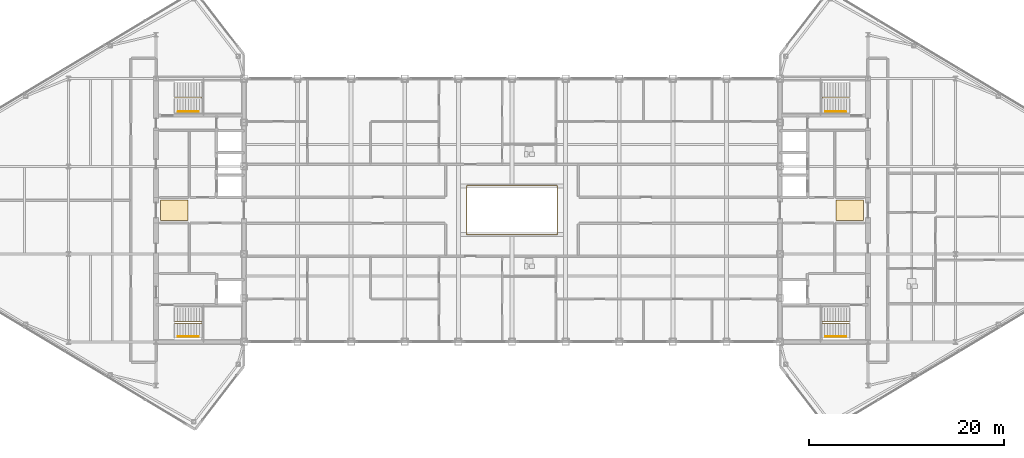
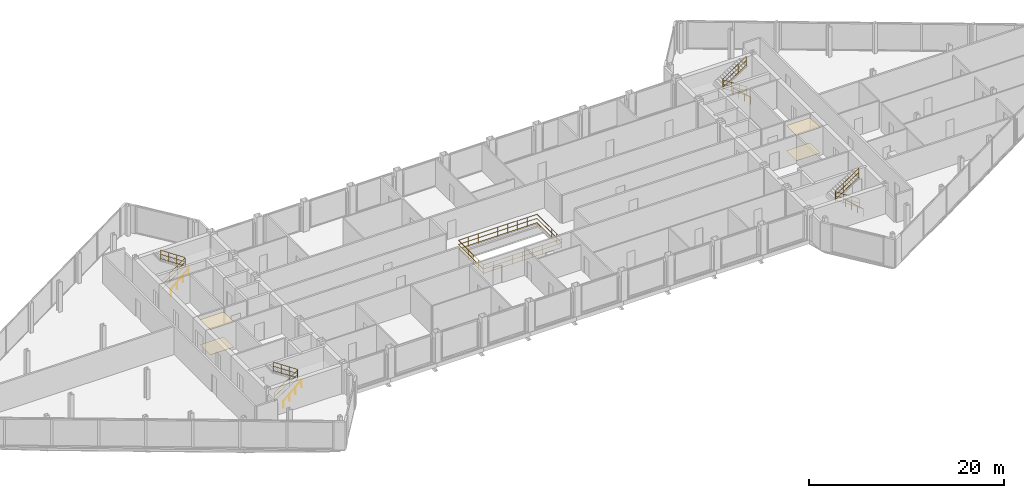
# One storey, part 27 of 28: 9 railings, 4 coverings.
"""IFC4 building model written with IfcOpenShell, lengths in metres."""

from ifc_helpers import new_model, si_unit, direction, frame, origin, origin_2d, place, context, subcontext, project, spatial, polyline, circle, outline, extrude, material, layer, layer_set, type_object, element, save


model = new_model("IFC4")

# Units and contexts
model_context = context("Model", 3, precision=1e-05, world=origin(), true_north=direction((0.0, 1.0)))
body_context = subcontext(model_context, "Body", "Model", "MODEL_VIEW")
ifc_project = project(units=[si_unit("LENGTHUNIT", "METRE"), si_unit("AREAUNIT", "SQUARE_METRE"), si_unit("VOLUMEUNIT", "CUBIC_METRE"), si_unit("PLANEANGLEUNIT", "RADIAN"), si_unit("MASSUNIT", "GRAM", prefix="KILO")], contexts=[model_context])

# Site, building, storey
site_placement = place(None, origin())
site = spatial("IfcSite", under=ifc_project, at=site_placement, CompositionType="ELEMENT")
building_placement = place(site_placement, origin())
building = spatial("IfcBuilding", under=site, at=building_placement, Name="Seokmaru Belvedere", CompositionType="ELEMENT")
storey_placement = place(building_placement, frame((0.0, 0.0, 265.64990234375)))
storey = spatial("IfcBuildingStorey", under=building, at=storey_placement, Name="L70", CompositionType="ELEMENT", Elevation=265.64990234375)

# Coverings
ifc_material_1 = material(Name="Engineered White Oak Timber", Category="wood")
ifc_layer_1 = layer(ifc_material_1, 0.02197265625)
ifc_layer_set_1 = layer_set([ifc_layer_1], Name="Engineered White Oak Timber")
covering_type_1 = type_object("IfcCoveringType", Name="Engineered Oak Residence Floor Finish 22", PredefinedType="FLOORING", material=ifc_layer_set_1)
covering_1_placement = place(storey_placement, origin())
element("IfcCovering", 1, at=covering_1_placement, inside=storey, type_object=covering_type_1, Name="L70 W Foyer Floor Finish", PredefinedType="FLOORING", context=body_context, shape_type="SweptSolid", body=[
    extrude(outline(polyline([(-36.050048828125, -1.050048828125), (-33.25, -1.050048828125), (-33.25, 1.050048828125), (-36.050048828125, 1.050048828125), (-36.050048828125, -1.050048828125)])), origin(), (0.0, 0.0, 1.0), 0.022216796875),
])
covering_2_placement = place(storey_placement, origin())
element("IfcCovering", 2, at=covering_2_placement, inside=storey, type_object=covering_type_1, Name="L70 E Foyer Floor Finish", PredefinedType="FLOORING", context=body_context, shape_type="SweptSolid", body=[
    extrude(outline(polyline([(33.25, -1.050048828125), (36.050048828125, -1.050048828125), (36.050048828125, 1.050048828125), (33.25, 1.050048828125), (33.25, -1.050048828125)])), origin(), (0.0, 0.0, 1.0), 0.022216796875),
])
ifc_material_2 = material(Name="Fire-Rated Gypsum Shaftwall")
ifc_layer_2 = layer(ifc_material_2, 0.02490234375)
ifc_layer_set_2 = layer_set([ifc_layer_2], Name="Fire-Rated Gypsum Shaftwall")
covering_type_2 = type_object("IfcCoveringType", Name="Perforated Acoustic Gypsum Suspended Ceiling 25", PredefinedType="CEILING", material=ifc_layer_set_2)
covering_3_placement = place(storey_placement, frame((0.0, 0.0, 3.14013671875)))
element("IfcCovering", 3, at=covering_3_placement, inside=storey, type_object=covering_type_2, Name="L70 W Lift Foyer Acoustic Ceiling", PredefinedType="CEILING", context=body_context, shape_type="SweptSolid", body=[
    extrude(outline(polyline([(-36.050048828125, -1.050048828125), (-33.25, -1.050048828125), (-33.25, 1.050048828125), (-36.050048828125, 1.050048828125), (-36.050048828125, -1.050048828125)])), origin(), (0.0, 0.0, 1.0), 0.02490234375),
])
covering_4_placement = place(storey_placement, frame((0.0, 0.0, 3.14013671875)))
element("IfcCovering", 4, at=covering_4_placement, inside=storey, type_object=covering_type_2, Name="L70 E Lift Foyer Acoustic Ceiling", PredefinedType="CEILING", context=body_context, shape_type="SweptSolid", body=[
    extrude(outline(polyline([(33.25, -1.050048828125), (36.050048828125, -1.050048828125), (36.050048828125, 1.050048828125), (33.25, 1.050048828125), (33.25, -1.050048828125)])), origin(), (0.0, 0.0, 1.0), 0.02490234375),
])

# Railings
ifc_material_3 = material(Name="Stainless Steel 316", Category="steel")
railing_type_1 = type_object("IfcRailingType", Name="Stainless Steel Wall and Flight Handrail 900", PredefinedType="HANDRAIL", material=ifc_material_3)
for number, where, name in (
    (5, (-34.25, -12.949951171875, 0.0), "L70 Stair ST-W1 Wall Handrail"),
    (6, (-34.25, 10.110107421875, 0.0), "L70 Stair ST-W2 Wall Handrail"),
):
    element("IfcRailing", number, at=place(storey_placement, frame(where)), inside=storey, type_object=railing_type_1, Name=name, PredefinedType="HANDRAIL", context=body_context, shape_type="SweptSolid", body=[
        extrude(circle(Radius=0.02392578125, at=origin_2d()), frame((0.0, 0.0, 0.8759765625), z_axis=(0.74595304797, 0.0, 0.665998536202), x_axis=(0.0, 1.0, 0.0)), (0.0, 0.0, 1.0), 2.8154296875),
        extrude(circle(Radius=0.02099609375, at=origin_2d()), origin(), (0.0, 0.0, 1.0), 0.851806640625),
        extrude(circle(Radius=0.02099609375, at=origin_2d()), frame((0.699951171875, 0.0, 0.625)), (0.0, 0.0, 1.0), 0.851806640625),
        extrude(circle(Radius=0.02099609375, at=origin_2d()), frame((1.400146484375, 0.0, 1.25)), (0.0, 0.0, 1.0), 0.851806640625),
        extrude(circle(Radius=0.02099609375, at=origin_2d()), frame((2.10009765625, 0.0, 1.875)), (0.0, 0.0, 1.0), 0.851806640625),
    ])
for number, where, name in (
    (7, (34.25, -12.949951171875, 0.0), "L70 Stair ST-E1 Wall Handrail"),
    (8, (34.25, 10.110107421875, 0.0), "L70 Stair ST-E2 Wall Handrail"),
):
    element("IfcRailing", number, at=place(storey_placement, frame(where)), inside=storey, type_object=railing_type_1, Name=name, PredefinedType="HANDRAIL", context=body_context, shape_type="SweptSolid", body=[
        extrude(circle(Radius=0.02392578125, at=origin_2d()), frame((0.0, 0.0, 0.8759765625), z_axis=(-0.74595304797, 0.0, 0.665998536202), x_axis=(0.0, -1.0, 0.0)), (0.0, 0.0, 1.0), 2.8154296875),
        extrude(circle(Radius=0.02099609375, at=origin_2d()), origin(), (0.0, 0.0, 1.0), 0.851806640625),
        extrude(circle(Radius=0.02099609375, at=origin_2d()), frame((-0.699951171875, 0.0, 0.625)), (0.0, 0.0, 1.0), 0.851806640625),
        extrude(circle(Radius=0.02099609375, at=origin_2d()), frame((-1.400146484375, 0.0, 1.25)), (0.0, 0.0, 1.0), 0.851806640625),
        extrude(circle(Radius=0.02099609375, at=origin_2d()), frame((-2.10009765625, 0.0, 1.875)), (0.0, 0.0, 1.0), 0.851806640625),
    ])
railing_type_2 = type_object("IfcRailingType", Name="Stair Well and Atrium Steel Guardrail 1200", PredefinedType="GUARDRAIL", material=ifc_material_3)
railing_1_placement = place(storey_placement, frame((-34.60009765625, -11.60009765625, 0.0)))
element("IfcRailing", 9, at=railing_1_placement, inside=storey, type_object=railing_type_2, Name="L70 Stair ST-W1 Inner Well Guardrail", PredefinedType="GUARDRAIL", context=body_context, shape_type="SweptSolid", body=[
    extrude(circle(Radius=0.02392578125, at=origin_2d()), frame((0.0, 0.0, 1.17578125), z_axis=(0.830911662861, 0.0, 0.55640435703), x_axis=(0.0, 1.0, 0.0)), (0.0, 0.0, 1.0), 3.369873046875),
    extrude(circle(Radius=0.02392578125, at=origin_2d()), frame((0.0, 0.0, 0.1201171875), z_axis=(0.830911662861, 0.0, 0.55640435703), x_axis=(0.0, 1.0, 0.0)), (0.0, 0.0, 1.0), 3.369873046875),
    extrude(circle(Radius=0.02392578125, at=origin_2d()), frame((0.0, 0.0, 0.659912109375), z_axis=(0.830911662861, 0.0, 0.55640435703), x_axis=(0.0, 1.0, 0.0)), (0.0, 0.0, 1.0), 3.369873046875),
    extrude(circle(Radius=0.02392578125, at=origin_2d()), frame((2.800048828125, 0.0, 3.05078125), z_axis=(0.0, 1.0, 0.0), x_axis=(-1.0, 0.0, 0.0)), (0.0, 0.0, 1.0), 0.14013671875),
    extrude(circle(Radius=0.02392578125, at=origin_2d()), frame((2.800048828125, 0.0, 1.9951171875), z_axis=(0.0, 1.0, 0.0), x_axis=(-1.0, 0.0, 0.0)), (0.0, 0.0, 1.0), 0.14013671875),
    extrude(circle(Radius=0.02392578125, at=origin_2d()), frame((2.800048828125, 0.0, 2.534912109375), z_axis=(0.0, 1.0, 0.0), x_axis=(-1.0, 0.0, 0.0)), (0.0, 0.0, 1.0), 0.14013671875),
    extrude(circle(Radius=0.02392578125, at=origin_2d()), frame((2.800048828125, 0.14013671875, 3.05078125), z_axis=(-0.830911662861, 0.0, 0.55640435703), x_axis=(0.0, -1.0, 0.0)), (0.0, 0.0, 1.0), 3.369873046875),
    extrude(circle(Radius=0.02392578125, at=origin_2d()), frame((2.800048828125, 0.14013671875, 1.9951171875), z_axis=(-0.830911662861, 0.0, 0.55640435703), x_axis=(0.0, -1.0, 0.0)), (0.0, 0.0, 1.0), 3.369873046875),
    extrude(circle(Radius=0.02392578125, at=origin_2d()), frame((2.800048828125, 0.14013671875, 2.534912109375), z_axis=(-0.830911662861, 0.0, 0.55640435703), x_axis=(0.0, -1.0, 0.0)), (0.0, 0.0, 1.0), 3.369873046875),
    extrude(circle(Radius=0.02099609375, at=origin_2d()), origin(), (0.0, 0.0, 1.0), 1.15185546875),
    extrude(circle(Radius=0.02099609375, at=origin_2d()), frame((0.933349609375, 0.0, 0.625)), (0.0, 0.0, 1.0), 1.15185546875),
    extrude(circle(Radius=0.02099609375, at=origin_2d()), frame((1.86669921875, 0.0, 1.25)), (0.0, 0.0, 1.0), 1.15185546875),
    extrude(circle(Radius=0.02099609375, at=origin_2d()), frame((2.800048828125, 0.0, 1.875)), (0.0, 0.0, 1.0), 1.15185546875),
    extrude(circle(Radius=0.02099609375, at=origin_2d()), frame((2.800048828125, 0.14013671875, 1.875)), (0.0, 0.0, 1.0), 1.15185546875),
    extrude(circle(Radius=0.02099609375, at=origin_2d()), frame((1.86669921875, 0.14013671875, 2.5)), (0.0, 0.0, 1.0), 1.15185546875),
    extrude(circle(Radius=0.02099609375, at=origin_2d()), frame((0.933349609375, 0.14013671875, 3.125)), (0.0, 0.0, 1.0), 1.15185546875),
    extrude(circle(Radius=0.02099609375, at=origin_2d()), frame((0.0, 0.14013671875, 3.75)), (0.0, 0.0, 1.0), 1.15185546875),
])
railing_2_placement = place(storey_placement, frame((-34.60009765625, 11.4599609375, 0.0)))
element("IfcRailing", 10, at=railing_2_placement, inside=storey, type_object=railing_type_2, Name="L70 Stair ST-W2 Inner Well Guardrail", PredefinedType="GUARDRAIL", context=body_context, shape_type="SweptSolid", body=[
    extrude(circle(Radius=0.02392578125, at=origin_2d()), frame((0.0, 0.0, 1.17578125), z_axis=(0.830911662861, 0.0, 0.55640435703), x_axis=(0.0, 1.0, 0.0)), (0.0, 0.0, 1.0), 3.369873046875),
    extrude(circle(Radius=0.02392578125, at=origin_2d()), frame((0.0, 0.0, 0.1201171875), z_axis=(0.830911662861, 0.0, 0.55640435703), x_axis=(0.0, 1.0, 0.0)), (0.0, 0.0, 1.0), 3.369873046875),
    extrude(circle(Radius=0.02392578125, at=origin_2d()), frame((0.0, 0.0, 0.659912109375), z_axis=(0.830911662861, 0.0, 0.55640435703), x_axis=(0.0, 1.0, 0.0)), (0.0, 0.0, 1.0), 3.369873046875),
    extrude(circle(Radius=0.02392578125, at=origin_2d()), frame((2.800048828125, 0.0, 3.05078125), z_axis=(0.0, 1.0, 0.0), x_axis=(-1.0, 0.0, 0.0)), (0.0, 0.0, 1.0), 0.14013671875),
    extrude(circle(Radius=0.02392578125, at=origin_2d()), frame((2.800048828125, 0.0, 1.9951171875), z_axis=(0.0, 1.0, 0.0), x_axis=(-1.0, 0.0, 0.0)), (0.0, 0.0, 1.0), 0.14013671875),
    extrude(circle(Radius=0.02392578125, at=origin_2d()), frame((2.800048828125, 0.0, 2.534912109375), z_axis=(0.0, 1.0, 0.0), x_axis=(-1.0, 0.0, 0.0)), (0.0, 0.0, 1.0), 0.14013671875),
    extrude(circle(Radius=0.02392578125, at=origin_2d()), frame((2.800048828125, 0.14013671875, 3.05078125), z_axis=(-0.830911662861, 0.0, 0.55640435703), x_axis=(0.0, -1.0, 0.0)), (0.0, 0.0, 1.0), 3.369873046875),
    extrude(circle(Radius=0.02392578125, at=origin_2d()), frame((2.800048828125, 0.14013671875, 1.9951171875), z_axis=(-0.830911662861, 0.0, 0.55640435703), x_axis=(0.0, -1.0, 0.0)), (0.0, 0.0, 1.0), 3.369873046875),
    extrude(circle(Radius=0.02392578125, at=origin_2d()), frame((2.800048828125, 0.14013671875, 2.534912109375), z_axis=(-0.830911662861, 0.0, 0.55640435703), x_axis=(0.0, -1.0, 0.0)), (0.0, 0.0, 1.0), 3.369873046875),
    extrude(circle(Radius=0.02099609375, at=origin_2d()), origin(), (0.0, 0.0, 1.0), 1.15185546875),
    extrude(circle(Radius=0.02099609375, at=origin_2d()), frame((0.933349609375, 0.0, 0.625)), (0.0, 0.0, 1.0), 1.15185546875),
    extrude(circle(Radius=0.02099609375, at=origin_2d()), frame((1.86669921875, 0.0, 1.25)), (0.0, 0.0, 1.0), 1.15185546875),
    extrude(circle(Radius=0.02099609375, at=origin_2d()), frame((2.800048828125, 0.0, 1.875)), (0.0, 0.0, 1.0), 1.15185546875),
    extrude(circle(Radius=0.02099609375, at=origin_2d()), frame((2.800048828125, 0.14013671875, 1.875)), (0.0, 0.0, 1.0), 1.15185546875),
    extrude(circle(Radius=0.02099609375, at=origin_2d()), frame((1.86669921875, 0.14013671875, 2.5)), (0.0, 0.0, 1.0), 1.15185546875),
    extrude(circle(Radius=0.02099609375, at=origin_2d()), frame((0.933349609375, 0.14013671875, 3.125)), (0.0, 0.0, 1.0), 1.15185546875),
    extrude(circle(Radius=0.02099609375, at=origin_2d()), frame((0.0, 0.14013671875, 3.75)), (0.0, 0.0, 1.0), 1.15185546875),
])
railing_3_placement = place(storey_placement, frame((34.60009765625, -11.60009765625, 0.0)))
element("IfcRailing", 11, at=railing_3_placement, inside=storey, type_object=railing_type_2, Name="L70 Stair ST-E1 Inner Well Guardrail", PredefinedType="GUARDRAIL", context=body_context, shape_type="SweptSolid", body=[
    extrude(circle(Radius=0.02392578125, at=origin_2d()), frame((0.0, 0.0, 1.17578125), z_axis=(-0.830911662861, 0.0, 0.55640435703), x_axis=(0.0, -1.0, 0.0)), (0.0, 0.0, 1.0), 3.369873046875),
    extrude(circle(Radius=0.02392578125, at=origin_2d()), frame((0.0, 0.0, 0.1201171875), z_axis=(-0.830911662861, 0.0, 0.55640435703), x_axis=(0.0, -1.0, 0.0)), (0.0, 0.0, 1.0), 3.369873046875),
    extrude(circle(Radius=0.02392578125, at=origin_2d()), frame((0.0, 0.0, 0.659912109375), z_axis=(-0.830911662861, 0.0, 0.55640435703), x_axis=(0.0, -1.0, 0.0)), (0.0, 0.0, 1.0), 3.369873046875),
    extrude(circle(Radius=0.02392578125, at=origin_2d()), frame((-2.800048828125, 0.0, 3.05078125), z_axis=(0.0, 1.0, 0.0), x_axis=(-1.0, 0.0, 0.0)), (0.0, 0.0, 1.0), 0.14013671875),
    extrude(circle(Radius=0.02392578125, at=origin_2d()), frame((-2.800048828125, 0.0, 1.9951171875), z_axis=(0.0, 1.0, 0.0), x_axis=(-1.0, 0.0, 0.0)), (0.0, 0.0, 1.0), 0.14013671875),
    extrude(circle(Radius=0.02392578125, at=origin_2d()), frame((-2.800048828125, 0.0, 2.534912109375), z_axis=(0.0, 1.0, 0.0), x_axis=(-1.0, 0.0, 0.0)), (0.0, 0.0, 1.0), 0.14013671875),
    extrude(circle(Radius=0.02392578125, at=origin_2d()), frame((-2.800048828125, 0.14013671875, 3.05078125), z_axis=(0.830911662861, 0.0, 0.55640435703), x_axis=(0.0, 1.0, 0.0)), (0.0, 0.0, 1.0), 3.369873046875),
    extrude(circle(Radius=0.02392578125, at=origin_2d()), frame((-2.800048828125, 0.14013671875, 1.9951171875), z_axis=(0.830911662861, 0.0, 0.55640435703), x_axis=(0.0, 1.0, 0.0)), (0.0, 0.0, 1.0), 3.369873046875),
    extrude(circle(Radius=0.02392578125, at=origin_2d()), frame((-2.800048828125, 0.14013671875, 2.534912109375), z_axis=(0.830911662861, 0.0, 0.55640435703), x_axis=(0.0, 1.0, 0.0)), (0.0, 0.0, 1.0), 3.369873046875),
    extrude(circle(Radius=0.02099609375, at=origin_2d()), origin(), (0.0, 0.0, 1.0), 1.15185546875),
    extrude(circle(Radius=0.02099609375, at=origin_2d()), frame((-0.933349609375, 0.0, 0.625)), (0.0, 0.0, 1.0), 1.15185546875),
    extrude(circle(Radius=0.02099609375, at=origin_2d()), frame((-1.86669921875, 0.0, 1.25)), (0.0, 0.0, 1.0), 1.15185546875),
    extrude(circle(Radius=0.02099609375, at=origin_2d()), frame((-2.800048828125, 0.0, 1.875)), (0.0, 0.0, 1.0), 1.15185546875),
    extrude(circle(Radius=0.02099609375, at=origin_2d()), frame((-2.800048828125, 0.14013671875, 1.875)), (0.0, 0.0, 1.0), 1.15185546875),
    extrude(circle(Radius=0.02099609375, at=origin_2d()), frame((-1.86669921875, 0.14013671875, 2.5)), (0.0, 0.0, 1.0), 1.15185546875),
    extrude(circle(Radius=0.02099609375, at=origin_2d()), frame((-0.933349609375, 0.14013671875, 3.125)), (0.0, 0.0, 1.0), 1.15185546875),
    extrude(circle(Radius=0.02099609375, at=origin_2d()), frame((0.0, 0.14013671875, 3.75)), (0.0, 0.0, 1.0), 1.15185546875),
])
railing_4_placement = place(storey_placement, frame((34.60009765625, 11.4599609375, 0.0)))
element("IfcRailing", 12, at=railing_4_placement, inside=storey, type_object=railing_type_2, Name="L70 Stair ST-E2 Inner Well Guardrail", PredefinedType="GUARDRAIL", context=body_context, shape_type="SweptSolid", body=[
    extrude(circle(Radius=0.02392578125, at=origin_2d()), frame((0.0, 0.0, 1.17578125), z_axis=(-0.830911662861, 0.0, 0.55640435703), x_axis=(0.0, -1.0, 0.0)), (0.0, 0.0, 1.0), 3.369873046875),
    extrude(circle(Radius=0.02392578125, at=origin_2d()), frame((0.0, 0.0, 0.1201171875), z_axis=(-0.830911662861, 0.0, 0.55640435703), x_axis=(0.0, -1.0, 0.0)), (0.0, 0.0, 1.0), 3.369873046875),
    extrude(circle(Radius=0.02392578125, at=origin_2d()), frame((0.0, 0.0, 0.659912109375), z_axis=(-0.830911662861, 0.0, 0.55640435703), x_axis=(0.0, -1.0, 0.0)), (0.0, 0.0, 1.0), 3.369873046875),
    extrude(circle(Radius=0.02392578125, at=origin_2d()), frame((-2.800048828125, 0.0, 3.05078125), z_axis=(0.0, 1.0, 0.0), x_axis=(-1.0, 0.0, 0.0)), (0.0, 0.0, 1.0), 0.14013671875),
    extrude(circle(Radius=0.02392578125, at=origin_2d()), frame((-2.800048828125, 0.0, 1.9951171875), z_axis=(0.0, 1.0, 0.0), x_axis=(-1.0, 0.0, 0.0)), (0.0, 0.0, 1.0), 0.14013671875),
    extrude(circle(Radius=0.02392578125, at=origin_2d()), frame((-2.800048828125, 0.0, 2.534912109375), z_axis=(0.0, 1.0, 0.0), x_axis=(-1.0, 0.0, 0.0)), (0.0, 0.0, 1.0), 0.14013671875),
    extrude(circle(Radius=0.02392578125, at=origin_2d()), frame((-2.800048828125, 0.14013671875, 3.05078125), z_axis=(0.830911662861, 0.0, 0.55640435703), x_axis=(0.0, 1.0, 0.0)), (0.0, 0.0, 1.0), 3.369873046875),
    extrude(circle(Radius=0.02392578125, at=origin_2d()), frame((-2.800048828125, 0.14013671875, 1.9951171875), z_axis=(0.830911662861, 0.0, 0.55640435703), x_axis=(0.0, 1.0, 0.0)), (0.0, 0.0, 1.0), 3.369873046875),
    extrude(circle(Radius=0.02392578125, at=origin_2d()), frame((-2.800048828125, 0.14013671875, 2.534912109375), z_axis=(0.830911662861, 0.0, 0.55640435703), x_axis=(0.0, 1.0, 0.0)), (0.0, 0.0, 1.0), 3.369873046875),
    extrude(circle(Radius=0.02099609375, at=origin_2d()), origin(), (0.0, 0.0, 1.0), 1.15185546875),
    extrude(circle(Radius=0.02099609375, at=origin_2d()), frame((-0.933349609375, 0.0, 0.625)), (0.0, 0.0, 1.0), 1.15185546875),
    extrude(circle(Radius=0.02099609375, at=origin_2d()), frame((-1.86669921875, 0.0, 1.25)), (0.0, 0.0, 1.0), 1.15185546875),
    extrude(circle(Radius=0.02099609375, at=origin_2d()), frame((-2.800048828125, 0.0, 1.875)), (0.0, 0.0, 1.0), 1.15185546875),
    extrude(circle(Radius=0.02099609375, at=origin_2d()), frame((-2.800048828125, 0.14013671875, 1.875)), (0.0, 0.0, 1.0), 1.15185546875),
    extrude(circle(Radius=0.02099609375, at=origin_2d()), frame((-1.86669921875, 0.14013671875, 2.5)), (0.0, 0.0, 1.0), 1.15185546875),
    extrude(circle(Radius=0.02099609375, at=origin_2d()), frame((-0.933349609375, 0.14013671875, 3.125)), (0.0, 0.0, 1.0), 1.15185546875),
    extrude(circle(Radius=0.02099609375, at=origin_2d()), frame((0.0, 0.14013671875, 3.75)), (0.0, 0.0, 1.0), 1.15185546875),
])
railing_5_placement = place(storey_placement, frame((-4.639892578125, -2.5400390625, 0.0)))
element("IfcRailing", 13, at=railing_5_placement, inside=storey, type_object=railing_type_2, Name="L70 Sky-Gate Atrium Void Balustrade", PredefinedType="GUARDRAIL", context=body_context, shape_type="SweptSolid", body=[
    extrude(circle(Radius=0.02392578125, at=origin_2d()), frame((0.0, 0.0, 1.17578125), z_axis=(1.0, 0.0, 0.0), x_axis=(0.0, 1.0, 0.0)), (0.0, 0.0, 1.0), 9.27978515625),
    extrude(circle(Radius=0.02392578125, at=origin_2d()), frame((0.0, 0.0, 0.1201171875), z_axis=(1.0, 0.0, 0.0), x_axis=(0.0, 1.0, 0.0)), (0.0, 0.0, 1.0), 9.27978515625),
    extrude(circle(Radius=0.02392578125, at=origin_2d()), frame((0.0, 0.0, 0.659912109375), z_axis=(1.0, 0.0, 0.0), x_axis=(0.0, 1.0, 0.0)), (0.0, 0.0, 1.0), 9.27978515625),
    extrude(circle(Radius=0.02392578125, at=origin_2d()), frame((9.27978515625, 0.0, 1.17578125), z_axis=(0.0, 1.0, 0.0), x_axis=(-1.0, 0.0, 0.0)), (0.0, 0.0, 1.0), 5.080078125),
    extrude(circle(Radius=0.02392578125, at=origin_2d()), frame((9.27978515625, 0.0, 0.1201171875), z_axis=(0.0, 1.0, 0.0), x_axis=(-1.0, 0.0, 0.0)), (0.0, 0.0, 1.0), 5.080078125),
    extrude(circle(Radius=0.02392578125, at=origin_2d()), frame((9.27978515625, 0.0, 0.659912109375), z_axis=(0.0, 1.0, 0.0), x_axis=(-1.0, 0.0, 0.0)), (0.0, 0.0, 1.0), 5.080078125),
    extrude(circle(Radius=0.02392578125, at=origin_2d()), frame((9.27978515625, 5.080078125, 1.17578125), z_axis=(-1.0, 0.0, 0.0), x_axis=(0.0, -1.0, 0.0)), (0.0, 0.0, 1.0), 9.27978515625),
    extrude(circle(Radius=0.02392578125, at=origin_2d()), frame((9.27978515625, 5.080078125, 0.1201171875), z_axis=(-1.0, 0.0, 0.0), x_axis=(0.0, -1.0, 0.0)), (0.0, 0.0, 1.0), 9.27978515625),
    extrude(circle(Radius=0.02392578125, at=origin_2d()), frame((9.27978515625, 5.080078125, 0.659912109375), z_axis=(-1.0, 0.0, 0.0), x_axis=(0.0, -1.0, 0.0)), (0.0, 0.0, 1.0), 9.27978515625),
    extrude(circle(Radius=0.02392578125, at=origin_2d()), frame((0.0, 5.080078125, 1.17578125), z_axis=(0.0, -1.0, 0.0), x_axis=(1.0, 0.0, 0.0)), (0.0, 0.0, 1.0), 5.080078125),
    extrude(circle(Radius=0.02392578125, at=origin_2d()), frame((0.0, 5.080078125, 0.1201171875), z_axis=(0.0, -1.0, 0.0), x_axis=(1.0, 0.0, 0.0)), (0.0, 0.0, 1.0), 5.080078125),
    extrude(circle(Radius=0.02392578125, at=origin_2d()), frame((0.0, 5.080078125, 0.659912109375), z_axis=(0.0, -1.0, 0.0), x_axis=(1.0, 0.0, 0.0)), (0.0, 0.0, 1.0), 5.080078125),
    extrude(circle(Radius=0.02099609375, at=origin_2d()), origin(), (0.0, 0.0, 1.0), 1.15185546875),
    extrude(circle(Radius=0.02099609375, at=origin_2d()), frame((1.159912109375, 0.0, 0.0)), (0.0, 0.0, 1.0), 1.15185546875),
    extrude(circle(Radius=0.02099609375, at=origin_2d()), frame((2.31982421875, 0.0, 0.0)), (0.0, 0.0, 1.0), 1.15185546875),
    extrude(circle(Radius=0.02099609375, at=origin_2d()), frame((3.47998046875, 0.0, 0.0)), (0.0, 0.0, 1.0), 1.15185546875),
    extrude(circle(Radius=0.02099609375, at=origin_2d()), frame((4.639892578125, 0.0, 0.0)), (0.0, 0.0, 1.0), 1.15185546875),
    extrude(circle(Radius=0.02099609375, at=origin_2d()), frame((5.7998046875, 0.0, 0.0)), (0.0, 0.0, 1.0), 1.15185546875),
    extrude(circle(Radius=0.02099609375, at=origin_2d()), frame((6.9599609375, 0.0, 0.0)), (0.0, 0.0, 1.0), 1.15185546875),
    extrude(circle(Radius=0.02099609375, at=origin_2d()), frame((8.119873046875, 0.0, 0.0)), (0.0, 0.0, 1.0), 1.15185546875),
    extrude(circle(Radius=0.02099609375, at=origin_2d()), frame((9.27978515625, 0.0, 0.0)), (0.0, 0.0, 1.0), 1.15185546875),
    extrude(circle(Radius=0.02099609375, at=origin_2d()), frame((9.27978515625, 1.01611328125, 0.0)), (0.0, 0.0, 1.0), 1.15185546875),
    extrude(circle(Radius=0.02099609375, at=origin_2d()), frame((9.27978515625, 2.031982421875, 0.0)), (0.0, 0.0, 1.0), 1.15185546875),
    extrude(circle(Radius=0.02099609375, at=origin_2d()), frame((9.27978515625, 3.048095703125, 0.0)), (0.0, 0.0, 1.0), 1.15185546875),
    extrude(circle(Radius=0.02099609375, at=origin_2d()), frame((9.27978515625, 4.06396484375, 0.0)), (0.0, 0.0, 1.0), 1.15185546875),
    extrude(circle(Radius=0.02099609375, at=origin_2d()), frame((9.27978515625, 5.080078125, 0.0)), (0.0, 0.0, 1.0), 1.15185546875),
    extrude(circle(Radius=0.02099609375, at=origin_2d()), frame((8.119873046875, 5.080078125, 0.0)), (0.0, 0.0, 1.0), 1.15185546875),
    extrude(circle(Radius=0.02099609375, at=origin_2d()), frame((6.9599609375, 5.080078125, 0.0)), (0.0, 0.0, 1.0), 1.15185546875),
    extrude(circle(Radius=0.02099609375, at=origin_2d()), frame((5.7998046875, 5.080078125, 0.0)), (0.0, 0.0, 1.0), 1.15185546875),
    extrude(circle(Radius=0.02099609375, at=origin_2d()), frame((4.639892578125, 5.080078125, 0.0)), (0.0, 0.0, 1.0), 1.15185546875),
    extrude(circle(Radius=0.02099609375, at=origin_2d()), frame((3.47998046875, 5.080078125, 0.0)), (0.0, 0.0, 1.0), 1.15185546875),
    extrude(circle(Radius=0.02099609375, at=origin_2d()), frame((2.31982421875, 5.080078125, 0.0)), (0.0, 0.0, 1.0), 1.15185546875),
    extrude(circle(Radius=0.02099609375, at=origin_2d()), frame((1.159912109375, 5.080078125, 0.0)), (0.0, 0.0, 1.0), 1.15185546875),
    extrude(circle(Radius=0.02099609375, at=origin_2d()), frame((0.0, 5.080078125, 0.0)), (0.0, 0.0, 1.0), 1.15185546875),
    extrude(circle(Radius=0.02099609375, at=origin_2d()), frame((0.0, 4.06396484375, 0.0)), (0.0, 0.0, 1.0), 1.15185546875),
    extrude(circle(Radius=0.02099609375, at=origin_2d()), frame((0.0, 3.048095703125, 0.0)), (0.0, 0.0, 1.0), 1.15185546875),
    extrude(circle(Radius=0.02099609375, at=origin_2d()), frame((0.0, 2.031982421875, 0.0)), (0.0, 0.0, 1.0), 1.15185546875),
    extrude(circle(Radius=0.02099609375, at=origin_2d()), frame((0.0, 1.01611328125, 0.0)), (0.0, 0.0, 1.0), 1.15185546875),
])

save(model, "model.ifc")
